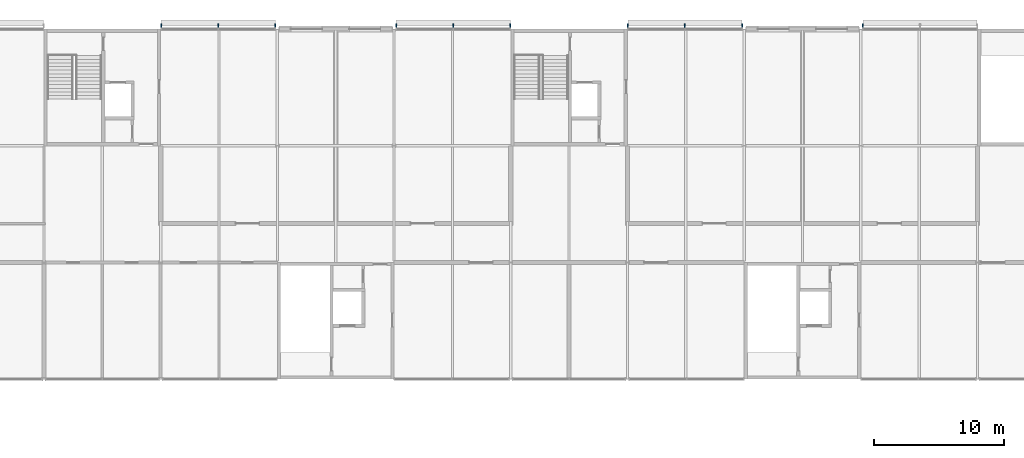
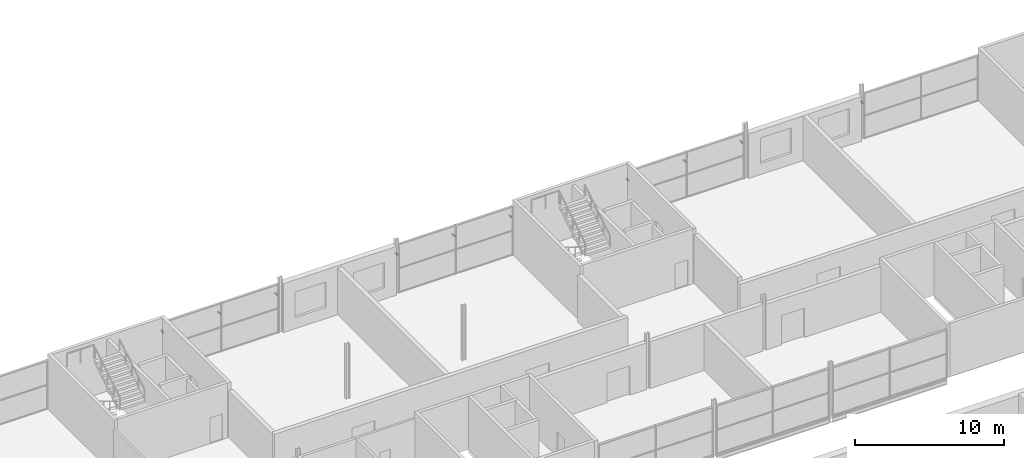
# One storey, part 134 of 138: 10 discrete accessories.
"""IFC4 building model written with IfcOpenShell, lengths in metres."""

from ifc_helpers import new_model, si_unit, direction, frame, origin, origin_2d, place, context, subcontext, project, spatial, rectangle, extrude, material, type_object, element, save


model = new_model("IFC4")

# Units and contexts
model_context = context("Model", 3, precision=1e-05, world=origin(), true_north=direction((0.0, 1.0)))
body_context = subcontext(model_context, "Body", "Model", "MODEL_VIEW")
ifc_project = project(units=[si_unit("LENGTHUNIT", "METRE"), si_unit("AREAUNIT", "SQUARE_METRE"), si_unit("VOLUMEUNIT", "CUBIC_METRE"), si_unit("PLANEANGLEUNIT", "RADIAN"), si_unit("MASSUNIT", "GRAM", prefix="KILO")], contexts=[model_context])

# Site, building, storey
site_placement = place(None, origin())
site = spatial("IfcSite", under=ifc_project, at=site_placement, CompositionType="ELEMENT")
building_placement = place(site_placement, origin())
building = spatial("IfcBuilding", under=site, at=building_placement, Name="Corbel Yard City Hall", CompositionType="ELEMENT")
storey_placement = place(building_placement, frame((0.0, 0.0, 10.5)))
storey = spatial("IfcBuildingStorey", under=building, at=storey_placement, Name="L02", CompositionType="ELEMENT", Elevation=10.5)

# Discrete accessories
ifc_material = material(Name="Steel Grade 300 (300 MPa yield)", Category="steel")
discrete_accessory_type = type_object("IfcDiscreteAccessoryType", Name="BK2", PredefinedType="BRACKET", material=ifc_material)
for number, where, z_axis, x_axis, name in (
    (1, (72.032470703125, 117.25, 2.953125), (0.0, 0.0, 1.0), (1.0, 0.0, 0.0), "Louvre bracket"),
    (2, (76.4365234375, 117.25, 2.953125), (0.0, 0.0, 1.0), (1.0, 0.0, 0.0), "Louvre bracket"),
    (3, (80.840576171875, 117.25, 2.953125), (0.0, 0.0, 1.0), (1.0, 0.0, 0.0), "Louvre bracket"),
    (4, (90.159423828125, 117.25, 2.953125), (0.0, 0.0, 1.0), (1.0, 0.0, 0.0), "Louvre bracket"),
    (5, (94.5634765625, 117.25, 2.953125), (0.0, 0.0, 1.0), (1.0, 0.0, 0.0), "Louvre bracket"),
    (6, (98.967529296875, 117.25, 2.953125), (0.0, 0.0, 1.0), (1.0, 0.0, 0.0), "Louvre bracket"),
    (7, (108.032470703125, 117.25, 2.763427734375), (0.0, 0.0, 1.0), (1.0, 0.0, 0.0), "Louvre bracket"),
    (8, (112.4365234375, 117.25, 2.763427734375), (0.0, 0.0, 1.0), (1.0, 0.0, 0.0), "Louvre bracket"),
    (9, (116.840576171875, 117.25, 2.763427734375), (0.0, 0.0, 1.0), (1.0, 0.0, 0.0), "Louvre bracket"),
    (10, (126.159423828125, 117.25, 2.763427734375), (0.0, 0.0, 1.0), (1.0, 0.0, 0.0), "Louvre bracket"),
):
    element("IfcDiscreteAccessory", number, at=place(storey_placement, frame(where, z_axis=z_axis, x_axis=x_axis)), inside=storey, type_object=discrete_accessory_type, Name=name, PredefinedType="BRACKET", context=body_context, shape_type="SweptSolid", body=[
        extrude(rectangle(XDim=0.080078125, YDim=0.300048828125, at=origin_2d()), origin(), (0.0, 0.0, 1.0), 0.080078125),
    ])

save(model, "model.ifc")
